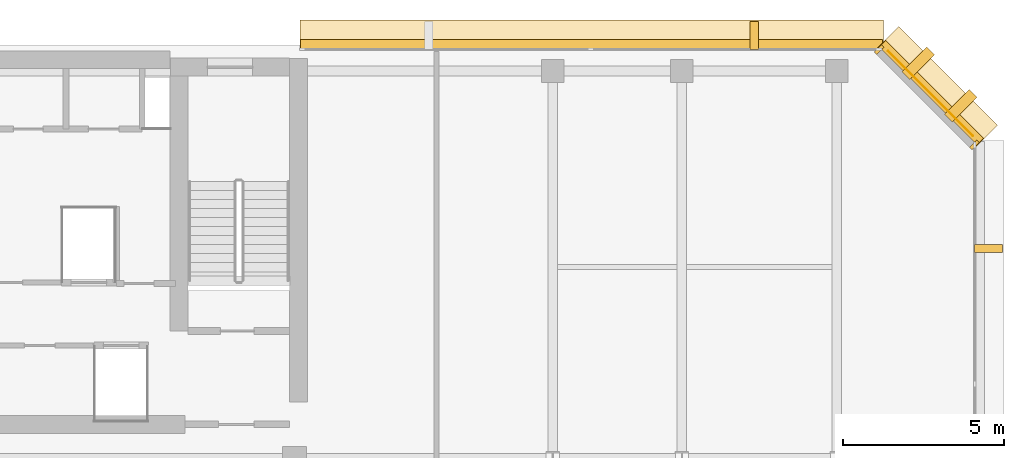
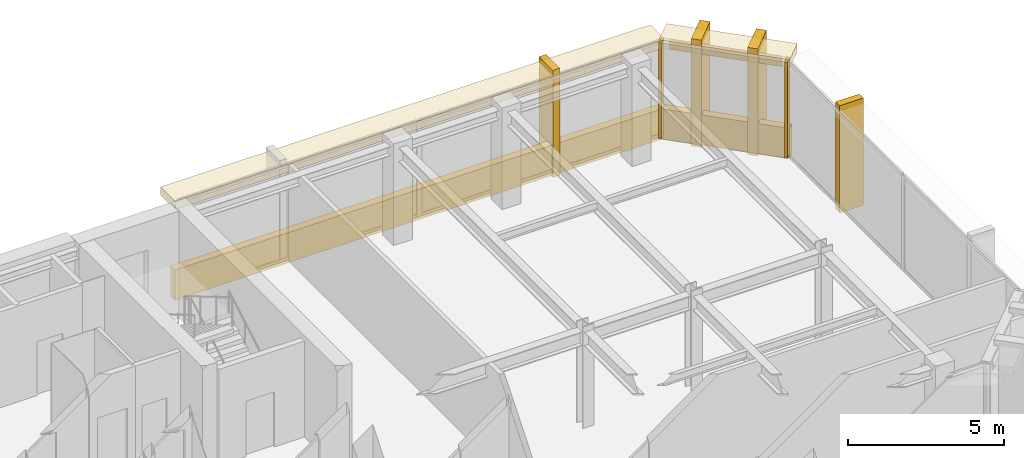
# One storey, part 12 of 12: 11 coverings.
"""IFC4 building model written with IfcOpenShell, lengths in metres."""

from ifc_helpers import new_model, si_unit, direction, frame, origin, origin_2d, place, context, subcontext, project, spatial, rectangle, extrude, material, layer, layer_set, type_object, element, save


model = new_model("IFC4")

# Units and contexts
model_context = context("Model", 3, precision=1e-05, world=origin(), true_north=direction((0.0, 1.0)))
body_context = subcontext(model_context, "Body", "Model", "MODEL_VIEW")
ifc_project = project(units=[si_unit("LENGTHUNIT", "METRE"), si_unit("AREAUNIT", "SQUARE_METRE"), si_unit("VOLUMEUNIT", "CUBIC_METRE"), si_unit("PLANEANGLEUNIT", "RADIAN"), si_unit("MASSUNIT", "GRAM", prefix="KILO")], contexts=[model_context])

# Site, building, storey
site_placement = place(None, origin())
site = spatial("IfcSite", under=ifc_project, at=site_placement, CompositionType="ELEMENT")
building_placement = place(site_placement, origin())
building = spatial("IfcBuilding", under=site, at=building_placement, Name="Kefirva Bronze Tower", CompositionType="ELEMENT")
storey_placement = place(building_placement, frame((0.0, 0.0, 327.68994140625)))
storey = spatial("IfcBuildingStorey", under=building, at=storey_placement, Name="L80", CompositionType="ELEMENT", Elevation=327.68994140625)

# Coverings
ifc_material = material(Name="Bronze anodised aluminium", Category="aluminium")
ifc_layer_1 = layer(ifc_material, 0.02001953125, Name="Bronze anodised aluminium")
ifc_layer_set_1 = layer_set([ifc_layer_1], Name="Bronze anodised aluminium")
covering_type_1 = type_object("IfcCoveringType", Name="Anodised Bronze Spandrel Cladding 20mm", PredefinedType="CLADDING", material=ifc_layer_set_1)
covering_1_placement = place(storey_placement, frame((42.906982421875, 44.507080078125, 3.320068359375), z_axis=(0.0, 0.0, 1.0), x_axis=(-0.707106781187, 0.707106781187, 0.0)))
element("IfcCovering", 1, at=covering_1_placement, inside=storey, type_object=covering_type_1, Name="L80 Bronze Spandrel Cladding 8", PredefinedType="CLADDING", context=body_context, shape_type="SweptSolid", body=[
    extrude(rectangle(XDim=3.719482421875, YDim=0.02001953125, at=origin_2d()), origin(), (0.0, 0.0, 1.0), 0.39990234375),
])
for number, where, z_axis, x_axis, name in (
    (2, (44.26220703125, 42.91162109375, 0.0), (0.0, 0.0, 1.0), (-0.707106781187, 0.707106781187, 0.0), "L80 Facade Joint Closure Panel 8S"),
    (3, (41.311767578125, 45.862060546875, 0.0), (0.0, 0.0, 1.0), (-0.707106781187, 0.707106781187, 0.0), "L80 Facade Joint Closure Panel 8E"),
):
    element("IfcCovering", number, at=place(storey_placement, frame(where, z_axis=z_axis, x_axis=x_axis)), inside=storey, type_object=covering_type_1, Name=name, PredefinedType="CLADDING", context=body_context, shape_type="SweptSolid", body=[
        extrude(rectangle(XDim=0.10009765625, YDim=0.320068359375, at=origin_2d()), origin(), (0.0, 0.0, 1.0), 3.739990234375),
    ])
covering_2_placement = place(storey_placement, frame((42.92822265625, 44.5283203125, -0.15966796875), z_axis=(0.0, 0.0, 1.0), x_axis=(-0.707106781187, 0.707106781187, 0.0)))
element("IfcCovering", 4, at=covering_2_placement, inside=storey, type_object=covering_type_1, Name="L80 Streamline Horizontal Spandrel Band 11", PredefinedType="CLADDING", context=body_context, shape_type="SweptSolid", body=[
    extrude(rectangle(XDim=4.28271484375, YDim=0.280029296875, at=origin_2d()), origin(), (0.0, 0.0, 1.0), 1.179931640625),
])
covering_3_placement = place(storey_placement, frame((32.402587890625, 46.0400390625, -0.15966796875), z_axis=(0.0, 0.0, 1.0), x_axis=(-1.0, 0.0, 0.0)))
element("IfcCovering", 5, at=covering_3_placement, inside=storey, type_object=covering_type_1, Name="L80 Streamline Horizontal Spandrel Band 12", PredefinedType="CLADDING", context=body_context, shape_type="SweptSolid", body=[
    extrude(rectangle(XDim=18.034912109375, YDim=0.280029296875, at=origin_2d()), origin(), (0.0, 0.0, 1.0), 1.179931640625),
])
ifc_layer_2 = layer(ifc_material, 0.179931640625, Name="Bronze anodised aluminium")
ifc_layer_set_2 = layer_set([ifc_layer_2], Name="Bronze anodised aluminium")
covering_type_2 = type_object("IfcCoveringType", Name="Streamline Bronze Sunshade Eyebrow Cladding 180mm", PredefinedType="CLADDING", material=ifc_layer_set_2)
covering_4_placement = place(storey_placement, frame((43.119140625, 44.71923828125, 3.419921875), z_axis=(0.0, 0.0, 1.0), x_axis=(-0.707106781187, 0.707106781187, 0.0)))
element("IfcCovering", 6, at=covering_4_placement, inside=storey, type_object=covering_type_2, Name="L80 Streamline Bronze Sunshade Eyebrow 11", PredefinedType="CLADDING", context=body_context, shape_type="SweptSolid", body=[
    extrude(rectangle(XDim=4.322509765625, YDim=0.93994140625, at=origin_2d()), origin(), (0.0, 0.0, 1.0), 0.320068359375),
])
covering_5_placement = place(storey_placement, frame((32.402587890625, 46.31005859375, 3.419921875), z_axis=(0.0, 0.0, 1.0), x_axis=(-1.0, 0.0, 0.0)))
element("IfcCovering", 7, at=covering_5_placement, inside=storey, type_object=covering_type_2, Name="L80 Streamline Bronze Sunshade Eyebrow 12", PredefinedType="CLADDING", context=body_context, shape_type="SweptSolid", body=[
    extrude(rectangle(XDim=18.074951171875, YDim=0.93994140625, at=origin_2d()), origin(), (0.0, 0.0, 1.0), 0.320068359375),
])
ifc_layer_3 = layer(ifc_material, 0.260009765625, Name="Bronze anodised aluminium")
ifc_layer_set_3 = layer_set([ifc_layer_3], Name="Bronze anodised aluminium")
covering_type_3 = type_object("IfcCoveringType", Name="Unbroken Bronze Buttress Fin Cladding 260mm", PredefinedType="CLADDING", material=ifc_layer_set_3)
covering_6_placement = place(storey_placement, frame((44.699951171875, 39.699951171875, -0.2197265625), z_axis=(0.0, 0.0, 1.0), x_axis=(0.0, 1.0, 0.0)))
element("IfcCovering", 8, at=covering_6_placement, inside=storey, type_object=covering_type_3, Name="L80 Unbroken Vertical Bronze Rib Fin 14", PredefinedType="CLADDING", context=body_context, shape_type="SweptSolid", body=[
    extrude(rectangle(XDim=0.260009765625, YDim=0.8798828125, at=origin_2d()), origin(), (0.0, 0.0, 1.0), 4.179931640625),
])
for number, where, z_axis, x_axis, name in (
    (9, (43.8427734375, 44.122802734375, -0.2197265625), (0.0, 0.0, 1.0), (-0.707106781187, 0.707106781187, 0.0), "L80 Chamfered Corner Buttress Fin Cladding 15"),
    (10, (42.522705078125, 45.44287109375, -0.2197265625), (0.0, 0.0, 1.0), (-0.707106781187, 0.707106781187, 0.0), "L80 Chamfered Corner Buttress Fin Cladding 16"),
):
    element("IfcCovering", number, at=place(storey_placement, frame(where, z_axis=z_axis, x_axis=x_axis)), inside=storey, type_object=covering_type_3, Name=name, PredefinedType="CLADDING", context=body_context, shape_type="SweptSolid", body=[
        extrude(rectangle(XDim=0.340087890625, YDim=1.080078125, at=origin_2d()), origin(), (0.0, 0.0, 1.0), 4.179931640625),
    ])
covering_7_placement = place(storey_placement, frame((37.441162109375, 46.300048828125, -0.2197265625), z_axis=(0.0, 0.0, 1.0), x_axis=(-1.0, 0.0, 0.0)))
element("IfcCovering", 11, at=covering_7_placement, inside=storey, type_object=covering_type_3, Name="L80 Unbroken Vertical Bronze Rib Fin 17", PredefinedType="CLADDING", context=body_context, shape_type="SweptSolid", body=[
    extrude(rectangle(XDim=0.260009765625, YDim=0.8798828125, at=origin_2d()), origin(), (0.0, 0.0, 1.0), 4.179931640625),
])

save(model, "model.ifc")
